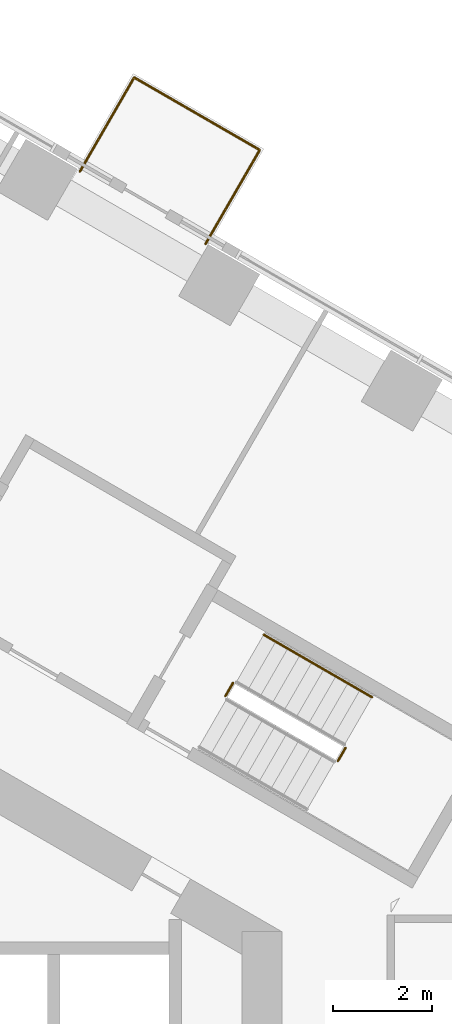
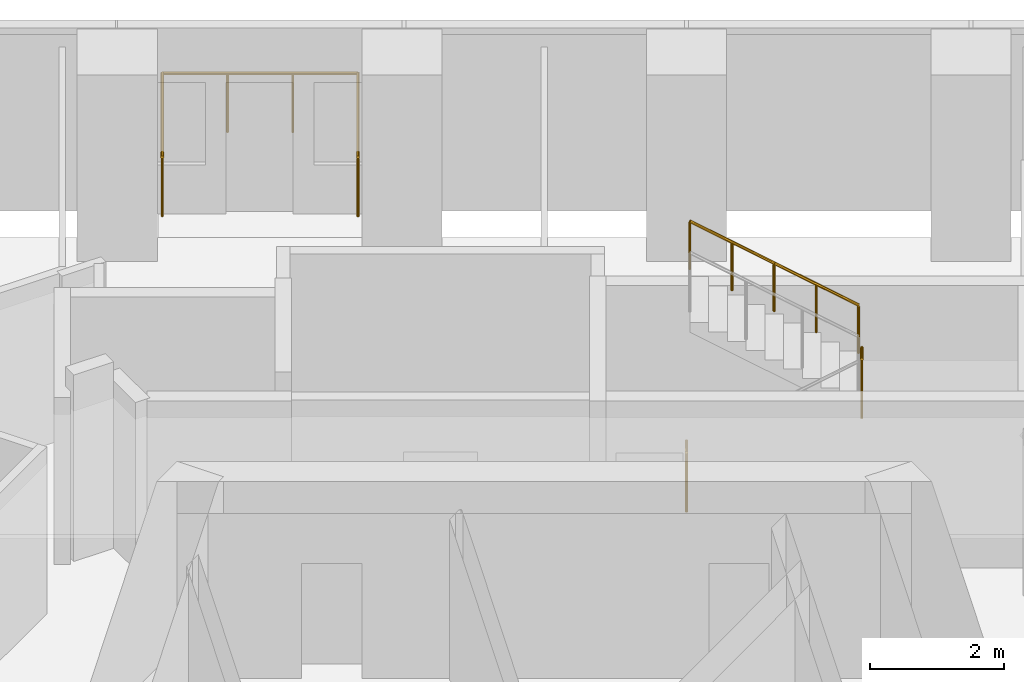
# One storey, part 20 of 20: 5 railings.
"""IFC4 building model written with IfcOpenShell, lengths in metres."""

import ifcopenshell
import ifcopenshell.guid

model = None  # the IFC model being written
_history = None  # IfcOwnerHistory: only IFC2X3 demands one
_inside = {}  # id of a spatial element -> (the spatial element, [elements in it])
_under = {}  # id of a project, library or spatial element -> (it, [spatial elements below it])
_declared = {}  # id of a project -> (the project, [libraries it declares])
_typed = {}  # id of a type object -> (the type object, [elements of that type])
_made_of = {}  # id of a material, layer set ... -> (it, [elements and type objects made of it])


def new_model(schema):
    """Start an empty IFC model of exactly this schema.

    Asked for "IFC4X3", IfcOpenShell would pick the latest addendum, in which some entities
    have other attributes; the version numbers below select the first issue.
    IFC2X3 requires an IfcOwnerHistory on every rooted entity: one is made here for all.
    """
    global model, _history
    if schema == "IFC4X3":
        model = ifcopenshell.file(schema_version=(4, 3, 0, 0))
    else:
        model = ifcopenshell.file(schema=schema)
    _inside.clear()
    _under.clear()
    _declared.clear()
    _typed.clear()
    _made_of.clear()
    _history = None
    if model.schema == "IFC2X3":
        org = make("IfcOrganization", Name="unknown")
        user = make(
            "IfcPersonAndOrganization",
            ThePerson=make("IfcPerson", FamilyName="unknown"),
            TheOrganization=org,
        )
        app = make(
            "IfcApplication",
            ApplicationDeveloper=org,
            Version="unknown",
            ApplicationFullName="unknown",
            ApplicationIdentifier="unknown",
        )
        _history = make(
            "IfcOwnerHistory",
            OwningUser=user,
            OwningApplication=app,
            ChangeAction="ADDED",
            CreationDate=0,
        )
    return model


def make(cls, **values):
    """One entity of the class cls with the attributes given. An attribute that is None is left unset."""
    return model.create_entity(
        cls, **{name: value for name, value in values.items() if value is not None}
    )


def rooted(cls, **values):
    """An entity with a GlobalId (a new one), such as an element, a storey or a relation."""
    return make(cls, GlobalId=ifcopenshell.guid.new(), OwnerHistory=_history, **values)


def si_unit(unit_type, name, prefix=None):
    """IfcSIUnit, for example si_unit("LENGTHUNIT", "METRE", prefix="MILLI")."""
    return make("IfcSIUnit", UnitType=unit_type, Prefix=prefix, Name=name)


def assignment(units):
    """IfcUnitAssignment: the units of a project."""
    return None if units is None else make("IfcUnitAssignment", Units=units)


def point(xyz):
    """IfcCartesianPoint."""
    return None if xyz is None else make("IfcCartesianPoint", Coordinates=xyz)


def direction(xyz):
    """IfcDirection."""
    return None if xyz is None else make("IfcDirection", DirectionRatios=xyz)


def frame(location, z_axis=None, x_axis=None):
    """IfcAxis2Placement3D, a coordinate frame: its origin and axes. An axis left out is left unset."""
    return make(
        "IfcAxis2Placement3D",
        Location=point(location),
        Axis=direction(z_axis),
        RefDirection=direction(x_axis),
    )


def frame_2d(location, x_axis=None):
    """IfcAxis2Placement2D, a coordinate frame in the plane: its origin and x axis."""
    return make(
        "IfcAxis2Placement2D", Location=point(location), RefDirection=direction(x_axis)
    )


def origin():
    """The frame at (0, 0, 0) with its axes left unset."""
    return frame((0.0, 0.0, 0.0))


def origin_2d():
    """The frame at (0, 0) in the plane with its x axis left unset."""
    return frame_2d((0.0, 0.0))


def place(relative_to, where):
    """IfcLocalPlacement: puts the frame where relative to a parent placement (None: the world)."""
    return make(
        "IfcLocalPlacement", PlacementRelTo=relative_to, RelativePlacement=where
    )


def context(
    kind, dimensions, precision=None, world=None, true_north=None, identifier=None
):
    """IfcGeometricRepresentationContext, for example the 3D "Model" context."""
    return make(
        "IfcGeometricRepresentationContext",
        ContextIdentifier=identifier,
        ContextType=kind,
        CoordinateSpaceDimension=dimensions,
        Precision=precision,
        WorldCoordinateSystem=world,
        TrueNorth=true_north,
    )


def subcontext(parent, identifier, kind, view, scale=None):
    """IfcGeometricRepresentationSubContext, for example "Body" below "Model"."""
    return make(
        "IfcGeometricRepresentationSubContext",
        ContextIdentifier=identifier,
        ContextType=kind,
        ParentContext=parent,
        TargetScale=scale,
        TargetView=view,
    )


def project(units=None, contexts=None):
    """IfcProject with its units and contexts."""
    return rooted(
        "IfcProject",
        Name="project",
        RepresentationContexts=contexts,
        UnitsInContext=assignment(units),
    )


def spatial(cls, under=None, at=None, **own):
    """A site, building, storey or space (cls), placed at a placement, below another one or the project."""
    s = rooted(cls, ObjectPlacement=at, **own)
    if under is not None:
        _under.setdefault(under.id(), (under, []))[1].append(s)
    return s


def profile(cls, at=None, kind="AREA", **sizes):
    """A parametric profile (cls). Its sizes go by their IFC names, for example OverallWidth=200.0."""
    return make(cls, ProfileType=kind, Position=at, **sizes)


def circle(**sizes):
    """IfcCircleProfileDef."""
    return profile("IfcCircleProfileDef", **sizes)


def extrude(swept, where, along, depth):
    """IfcExtrudedAreaSolid: the profile swept, set in the frame where, extruded along a direction by depth."""
    return make(
        "IfcExtrudedAreaSolid",
        SweptArea=swept,
        Position=where,
        ExtrudedDirection=direction(along),
        Depth=depth,
    )


def shape(context_of_items, identifier, shape_type, items):
    """IfcShapeRepresentation: the items that make up one representation, for example the "Body"."""
    return make(
        "IfcShapeRepresentation",
        ContextOfItems=context_of_items,
        RepresentationIdentifier=identifier,
        RepresentationType=shape_type,
        Items=items,
    )


def material(Name=None, Category=None):
    """IfcMaterial."""
    return make("IfcMaterial", Name=Name, Category=Category)


def made_of(thing, what):
    """Note that an element or type object is made of a material, layer set ...; save() writes the relation."""
    if what is not None:
        _made_of.setdefault(what.id(), (what, []))[1].append(thing)
    return thing


def type_object(cls, material=None, **own):
    """A type object (cls), such as IfcWallType, which elements share."""
    return made_of(rooted(cls, **own), material)


def element(
    cls,
    number,
    at=None,
    inside=None,
    cuts=None,
    type_object=None,
    material=None,
    context=None,
    identifier="Body",
    shape_type=None,
    held_by="IfcProductDefinitionShape",
    body=None,
    shapes=None,
    **own,
):
    """One element of the class cls, such as IfcWall. Its Tag is "e" and its number.

    at: its placement. inside: the storey or other place that contains it. cuts: it is an
    opening in that element (IfcRelVoidsElement). A single representation is given by context,
    identifier, shape_type and body (its items); several are given by shapes. held_by: the class
    of the entity that holds the representations. save() writes the other relations.
    """
    e = rooted(cls, Tag="e%d" % number, ObjectPlacement=at, **own)
    if body is not None:
        shapes = [shape(context, identifier, shape_type, body)]
    if shapes is not None:
        e.Representation = make(held_by, Representations=shapes)
    if inside is not None:
        _inside.setdefault(inside.id(), (inside, []))[1].append(e)
    if cuts is not None:
        rooted(
            "IfcRelVoidsElement", RelatingBuildingElement=cuts, RelatedOpeningElement=e
        )
    if type_object is not None:
        _typed.setdefault(type_object.id(), (type_object, []))[1].append(e)
    return made_of(e, material)


def aggregate(whole, parts):
    """IfcRelAggregates: a whole, such as a stair, and the parts it consists of."""
    return rooted("IfcRelAggregates", RelatingObject=whole, RelatedObjects=parts)


def save(model, path):
    """Write the relations noted so far, then the file.

    IfcRelAggregates (storeys below a building ...), IfcRelContainedInSpatialStructure (elements
    in a storey), IfcRelDefinesByType, IfcRelAssociatesMaterial and IfcRelDeclares: one each for
    every whole, place, type object, material and project.
    """
    for whole, parts in _under.values():
        aggregate(whole, parts)
    for where, things in _inside.values():
        rooted(
            "IfcRelContainedInSpatialStructure",
            RelatedElements=things,
            RelatingStructure=where,
        )
    for kind, things in _typed.values():
        rooted("IfcRelDefinesByType", RelatedObjects=things, RelatingType=kind)
    for what, things in _made_of.values():
        rooted("IfcRelAssociatesMaterial", RelatedObjects=things, RelatingMaterial=what)
    for by, libraries in _declared.values():
        rooted("IfcRelDeclares", RelatingContext=by, RelatedDefinitions=libraries)
    model.write(path)


model = new_model("IFC4")

# Units and contexts
model_context = context("Model", 3, precision=1e-05, world=origin(), true_north=direction((0.0, 1.0)))
body_context = subcontext(model_context, "Body", "Model", "MODEL_VIEW")
ifc_project = project(units=[si_unit("LENGTHUNIT", "METRE"), si_unit("AREAUNIT", "SQUARE_METRE"), si_unit("VOLUMEUNIT", "CUBIC_METRE"), si_unit("PLANEANGLEUNIT", "RADIAN"), si_unit("MASSUNIT", "GRAM", prefix="KILO")], contexts=[model_context])

# Site, building, storey
site_placement = place(None, origin())
site = spatial("IfcSite", under=ifc_project, at=site_placement, CompositionType="ELEMENT")
building_placement = place(site_placement, origin())
building = spatial("IfcBuilding", under=site, at=building_placement, Name="Ayvan Gate Tower", CompositionType="ELEMENT")
storey_placement = place(building_placement, frame((0.0, 0.0, 59.5)))
storey = spatial("IfcBuildingStorey", under=building, at=storey_placement, Name="L15", CompositionType="ELEMENT", Elevation=59.5)

# Railings
ifc_material_1 = material(Name="Stainless steel 316 and laminated glass", Category="steel")
railing_type_1 = type_object("IfcRailingType", Name="Balcony balustrade 1100", PredefinedType="BALUSTRADE", material=ifc_material_1)
railing_1_placement = place(storey_placement, frame((7.961181640625, 19.353515625, 0.0)))
element("IfcRailing", 1, at=railing_1_placement, inside=storey, type_object=railing_type_1, Name="Balcony balustrade BAL-L15-1", PredefinedType="BALUSTRADE", context=body_context, shape_type="SweptSolid", body=[
    extrude(circle(Radius=0.02490234375, at=origin_2d()), frame((0.0, 0.0, 1.0751953125), z_axis=(0.500011965869, 0.866018495177, 0.0), x_axis=(-0.866018495177, 0.500011965869, 0.0)), (0.0, 0.0, 1.0), 2.18994140625),
    extrude(circle(Radius=0.02490234375, at=origin_2d()), frame((1.094970703125, 1.896484375, 1.0751953125), z_axis=(-0.866020138017, 0.500009120465, 0.0), x_axis=(-0.500009120465, -0.866020138017, 0.0)), (0.0, 0.0, 1.0), 2.92431640625),
    extrude(circle(Radius=0.02490234375, at=origin_2d()), frame((-1.4375, 3.358642578125, 1.0751953125), z_axis=(-0.499963694393, -0.866046363822, 0.0), x_axis=(0.866046363822, -0.499963694393, 0.0)), (0.0, 0.0, 1.0), 2.190185546875),
    extrude(circle(Radius=0.02001953125, at=origin_2d()), origin(), (0.0, 0.0, 1.0), 1.050048828125),
    extrude(circle(Radius=0.02001953125, at=origin_2d()), frame((0.54736328125, 0.9482421875, 0.0)), (0.0, 0.0, 1.0), 1.050048828125),
    extrude(circle(Radius=0.02001953125, at=origin_2d()), frame((1.094970703125, 1.896484375, 0.0)), (0.0, 0.0, 1.0), 1.050048828125),
    extrude(circle(Radius=0.02001953125, at=origin_2d()), frame((0.250732421875, 2.3837890625, 0.0)), (0.0, 0.0, 1.0), 1.050048828125),
    extrude(circle(Radius=0.02001953125, at=origin_2d()), frame((-0.59326171875, 2.871337890625, 0.0)), (0.0, 0.0, 1.0), 1.050048828125),
    extrude(circle(Radius=0.02001953125, at=origin_2d()), frame((-1.4375, 3.358642578125, 0.0)), (0.0, 0.0, 1.0), 1.050048828125),
    extrude(circle(Radius=0.02001953125, at=origin_2d()), frame((-1.98486328125, 2.41015625, 0.0)), (0.0, 0.0, 1.0), 1.050048828125),
    extrude(circle(Radius=0.02001953125, at=origin_2d()), frame((-2.532470703125, 1.4619140625, 0.0)), (0.0, 0.0, 1.0), 1.050048828125),
])
ifc_material_2 = material(Name="Stainless steel balustrade", Category="steel")
railing_type_2 = type_object("IfcRailingType", Name="RL-GUARD-1100", PredefinedType="GUARDRAIL", material=ifc_material_2)
railing_2_placement = place(storey_placement, frame((10.6318359375, 8.9248046875, 1.699951171875)))
element("IfcRailing", 2, at=railing_2_placement, inside=storey, type_object=railing_type_2, Name="L15 STS1 stair guard 2", PredefinedType="GUARDRAIL", context=body_context, shape_type="SweptSolid", body=[
    extrude(circle(Radius=0.02392578125, at=origin_2d()), frame((0.0, 0.0, 1.076171875), z_axis=(0.499949632511, 0.866054481515, 0.0), x_axis=(-0.866054481515, 0.499949632511, 0.0)), (0.0, 0.0, 1.0), 0.31005859375),
    extrude(circle(Radius=0.02099609375, at=origin_2d()), origin(), (0.0, 0.0, 1.0), 1.052001953125),
    extrude(circle(Radius=0.02099609375, at=origin_2d()), frame((0.155029296875, 0.2685546875, 0.0)), (0.0, 0.0, 1.0), 1.052001953125),
])
railing_3_placement = place(storey_placement, frame((8.36279296875, 10.23486328125, 0.0)))
element("IfcRailing", 3, at=railing_3_placement, inside=storey, type_object=railing_type_2, Name="L15 STS1 stair guard 4", PredefinedType="GUARDRAIL", context=body_context, shape_type="SweptSolid", body=[
    extrude(circle(Radius=0.02392578125, at=origin_2d()), frame((0.0, 0.0, 1.076171875), z_axis=(0.500290723946, 0.86585748916, 0.0), x_axis=(-0.86585748916, 0.500290723946, 0.0)), (0.0, 0.0, 1.0), 0.309814453125),
    extrude(circle(Radius=0.02099609375, at=origin_2d()), origin(), (0.0, 0.0, 1.0), 1.052001953125),
    extrude(circle(Radius=0.02099609375, at=origin_2d()), frame((0.155029296875, 0.268310546875, 0.0)), (0.0, 0.0, 1.0), 1.052001953125),
])
railing_type_3 = type_object("IfcRailingType", Name="RL-HANDRAIL-900", PredefinedType="HANDRAIL", material=ifc_material_2)
railing_4_placement = place(storey_placement, frame((11.318603515625, 10.214111328125, 1.8701171875)))
element("IfcRailing", 4, at=railing_4_placement, inside=storey, type_object=railing_type_3, Name="L15 STS1 stair handrail 3", PredefinedType="HANDRAIL", context=body_context, shape_type="SweptSolid", body=[
    extrude(circle(Radius=0.02392578125, at=origin_2d()), frame((0.0, 0.0, 0.8759765625), z_axis=(-0.740304193401, 0.427455284825, 0.518875399983), x_axis=(-0.500035496587, -0.86600490885, 0.0)), (0.0, 0.0, 1.0), 1.47412109375),
    extrude(circle(Radius=0.02099609375, at=origin_2d()), origin(), (0.0, 0.0, 1.0), 0.851806640625),
    extrude(circle(Radius=0.02099609375, at=origin_2d()), frame((-0.545654296875, 0.31494140625, 0.38232421875)), (0.0, 0.0, 1.0), 0.851806640625),
    extrude(circle(Radius=0.02099609375, at=origin_2d()), frame((-1.09130859375, 0.630126953125, 0.764892578125)), (0.0, 0.0, 1.0), 0.851806640625),
])
railing_5_placement = place(storey_placement, frame((10.227294921875, 10.84423828125, 2.635009765625)))
element("IfcRailing", 5, at=railing_5_placement, inside=storey, type_object=railing_type_3, Name="L15 STS1 stair handrail 4", PredefinedType="HANDRAIL", context=body_context, shape_type="SweptSolid", body=[
    extrude(circle(Radius=0.02392578125, at=origin_2d()), frame((0.0, 0.0, 0.8759765625), z_axis=(-0.740356597536, 0.427319915356, 0.518912129772), x_axis=(-0.499890179513, -0.866088799389, 0.0)), (0.0, 0.0, 1.0), 1.47412109375),
    extrude(circle(Radius=0.02099609375, at=origin_2d()), origin(), (0.0, 0.0, 1.0), 0.851806640625),
    extrude(circle(Radius=0.02099609375, at=origin_2d()), frame((-0.545654296875, 0.31494140625, 0.38232421875)), (0.0, 0.0, 1.0), 0.851806640625),
    extrude(circle(Radius=0.02099609375, at=origin_2d()), frame((-1.09130859375, 0.6298828125, 0.764892578125)), (0.0, 0.0, 1.0), 0.851806640625),
])

save(model, "model.ifc")
